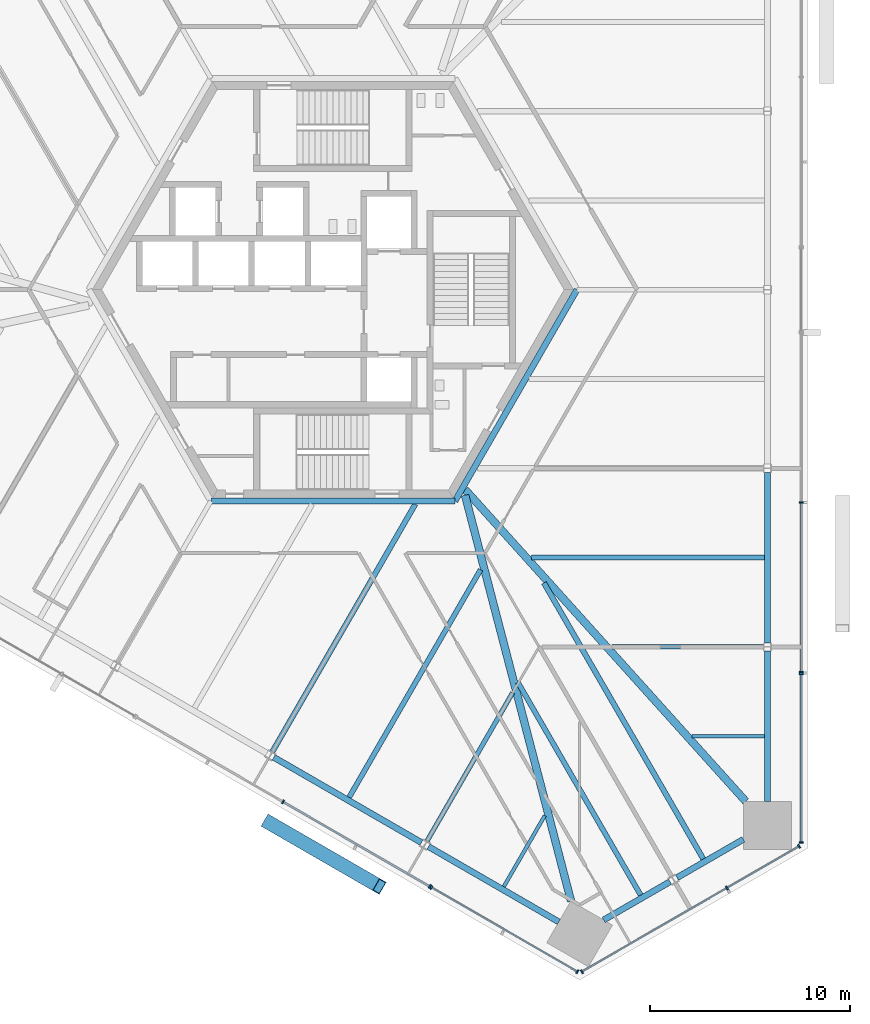
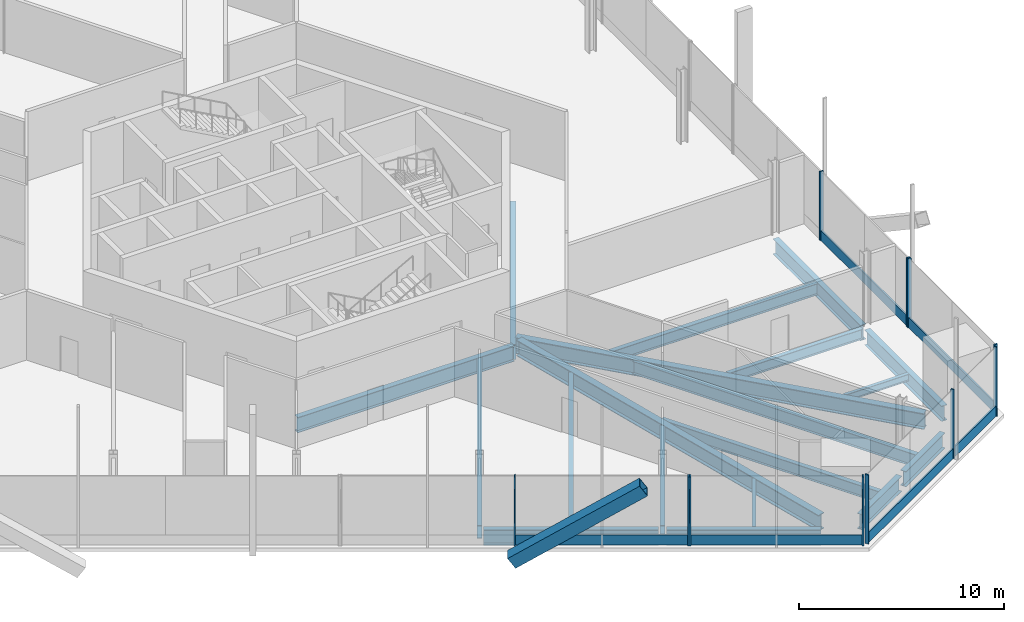
# One storey, part 4 of 19: 19 beams, 18 members, 5 elements without a shape of their own.
"""IFC4 building model written with IfcOpenShell, lengths in metres."""

from ifc_helpers import new_model, si_unit, direction, frame, origin, origin_2d, place, context, subcontext, project, spatial, rectangle, hollow_rectangle, i_section, extrude, source, transform, mapped, material, material_profile, profile_set, type_object, element, aggregate, save


model = new_model("IFC4")

# Units and contexts
model_context = context("Model", 3, precision=1e-05, world=origin(), true_north=direction((0.0, 1.0)))
body_context = subcontext(model_context, "Body", "Model", "MODEL_VIEW")
ifc_project = project(units=[si_unit("LENGTHUNIT", "METRE"), si_unit("AREAUNIT", "SQUARE_METRE"), si_unit("VOLUMEUNIT", "CUBIC_METRE"), si_unit("PLANEANGLEUNIT", "RADIAN"), si_unit("MASSUNIT", "GRAM", prefix="KILO")], contexts=[model_context])

# Site, building, storey
site_placement = place(None, origin())
site = spatial("IfcSite", under=ifc_project, at=site_placement, CompositionType="ELEMENT")
building_placement = place(site_placement, origin())
building = spatial("IfcBuilding", under=site, at=building_placement, Name="Triune Harvest Tower", CompositionType="ELEMENT")
storey_placement = place(building_placement, frame((0.0, 0.0, 41.800048828125)))
storey = spatial("IfcBuildingStorey", under=building, at=storey_placement, Name="L09", CompositionType="ELEMENT", Elevation=41.800048828125)

# Beams
ifc_material_1 = material(Name="Steel ASTM A992 Gr 50", Category="steel")
ifc_material_profile_1 = material_profile(ifc_material_1, i_section(OverallWidth=0.3046875, OverallDepth=0.914306640625, WebThickness=0.0166015625, FlangeThickness=0.02587890625, at=origin_2d()), Name="W36x160")
ifc_profile_set_1 = profile_set([ifc_material_profile_1], Name="Steel ASTM A992 Gr 50")
beam_type_1 = type_object("IfcBeamType", Name="CG-1 Core ring girder W36x160", PredefinedType="BEAM", material=ifc_profile_set_1)
shared_shape_1 = source(origin(), body_context, "Body", "SweptSolid", [
    extrude(i_section(OverallWidth=0.3046875, OverallDepth=0.914306640625, WebThickness=0.0166015625, FlangeThickness=0.02587890625, at=origin_2d()), origin(), (0.0, 0.0, 1.0), 12.176025390625),
])
beam_1_placement = place(storey_placement, frame((6.087890625, -10.544677734375, -0.6572265625), z_axis=(0.5000099932, 0.866019634131, 0.0), x_axis=(-0.866019634131, 0.5000099932, 0.0)))
element("IfcBeam", 1, at=beam_1_placement, inside=storey, type_object=beam_type_1, Name="beam/L09/CG6", PredefinedType="BEAM", context=body_context, shape_type="MappedRepresentation", body=[
    mapped(shared_shape_1, transform((0.0, 0.0, 0.0), scale=1.0)),
])
shared_shape_2 = source(origin(), body_context, "Body", "SweptSolid", [
    extrude(i_section(OverallWidth=0.3046875, OverallDepth=0.914306640625, WebThickness=0.0166015625, FlangeThickness=0.02587890625, at=origin_2d()), origin(), (0.0, 0.0, 1.0), 12.17578125),
])
beam_2_placement = place(storey_placement, frame((-6.087890625, -10.544677734375, -0.6572265625), z_axis=(1.0, 0.0, 0.0), x_axis=(0.0, 1.0, 0.0)))
element("IfcBeam", 2, at=beam_2_placement, inside=storey, type_object=beam_type_1, Name="beam/L09/CG5", PredefinedType="BEAM", context=body_context, shape_type="MappedRepresentation", body=[
    mapped(shared_shape_2, transform((0.0, 0.0, 0.0), scale=1.0)),
])
ifc_material_2 = material(Name="Steel ASTM A992 Gr 50", Category="steel")
ifc_material_profile_2 = material_profile(ifc_material_2, i_section(OverallWidth=0.383544921875, OverallDepth=0.9423828125, WebThickness=0.022216796875, FlangeThickness=0.039794921875, at=origin_2d()), Name="W36x232")
ifc_profile_set_2 = profile_set([ifc_material_profile_2], Name="Steel ASTM A992 Gr 50")
beam_type_2 = type_object("IfcBeamType", Name="HG-1 Hip girder W36x232", PredefinedType="BEAM", material=ifc_profile_set_2)
shared_shape_3 = source(origin(), body_context, "Body", "SweptSolid", [
    extrude(i_section(OverallWidth=0.383544921875, OverallDepth=0.9423828125, WebThickness=0.022216796875, FlangeThickness=0.039794921875, at=origin_2d()), origin(), (0.0, 0.0, 1.0), 20.933349609375),
])
beam_3_placement = place(storey_placement, frame((20.599365234375, -25.530029296875, -0.671142578125), z_axis=(-0.668990505388, 0.743270949049, 0.0), x_axis=(-0.743270949049, -0.668990505388, 0.0)))
element("IfcBeam", 3, at=beam_3_placement, inside=storey, type_object=beam_type_2, Name="beam/L09/HG1", PredefinedType="BEAM", context=body_context, shape_type="MappedRepresentation", body=[
    mapped(shared_shape_3, transform((0.0, 0.0, 0.0), scale=1.0)),
])
shared_shape_4 = source(origin(), body_context, "Body", "SweptSolid", [
    extrude(i_section(OverallWidth=0.383544921875, OverallDepth=0.9423828125, WebThickness=0.022216796875, FlangeThickness=0.039794921875, at=origin_2d()), origin(), (0.0, 0.0, 1.0), 20.931884765625),
])
beam_4_placement = place(storey_placement, frame((11.8828125, -30.50830078125, -0.671142578125), z_axis=(-0.252690148393, 0.967547254094, 0.0), x_axis=(-0.967547254094, -0.252690148393, 0.0)))
element("IfcBeam", 4, at=beam_4_placement, inside=storey, type_object=beam_type_2, Name="beam/L09/HG6", PredefinedType="BEAM", context=body_context, shape_type="MappedRepresentation", body=[
    mapped(shared_shape_4, transform((0.0, 0.0, 0.0), scale=1.0)),
])
ifc_material_3 = material(Name="Steel ASTM A992 Gr 50", Category="steel")
ifc_material_profile_3 = material_profile(ifc_material_3, i_section(OverallWidth=0.22900390625, OverallDepth=0.612060546875, WebThickness=0.011962890625, FlangeThickness=0.01953125, at=origin_2d()), Name="W24x84")
ifc_profile_set_3 = profile_set([ifc_material_profile_3], Name="Steel ASTM A992 Gr 50")
beam_type_3 = type_object("IfcBeamType", Name="JT-3 Floor joist W24x84", PredefinedType="JOIST", material=ifc_profile_set_3)
shared_shape_5 = source(origin(), body_context, "Body", "SweptSolid", [
    extrude(i_section(OverallWidth=0.22900390625, OverallDepth=0.612060546875, WebThickness=0.011962890625, FlangeThickness=0.01953125, at=origin_2d()), origin(), (0.0, 0.0, 1.0), 7.558349609375),
])
beam_5_placement = place(storey_placement, frame((21.476318359375, -17.820068359375, -0.506103515625), z_axis=(-1.0, 0.0, 0.0), x_axis=(0.0, -1.0, 0.0)))
element("IfcBeam", 5, at=beam_5_placement, inside=storey, type_object=beam_type_3, Name="beam/L09/JT2", PredefinedType="JOIST", context=body_context, shape_type="MappedRepresentation", body=[
    mapped(shared_shape_5, transform((0.0, 0.0, 0.0), scale=1.0)),
])
ifc_material_4 = material(Name="Steel ASTM A992 Gr 50", Category="steel")
ifc_material_profile_4 = material_profile(ifc_material_4, i_section(OverallWidth=0.2666015625, OverallDepth=0.7568359375, WebThickness=0.013916015625, FlangeThickness=0.019287109375, at=origin_2d()), Name="W30x108")
ifc_profile_set_4 = profile_set([ifc_material_profile_4], Name="Steel ASTM A992 Gr 50")
beam_type_4 = type_object("IfcBeamType", Name="JT-5 Floor joist W30x108", PredefinedType="JOIST", material=ifc_profile_set_4)
shared_shape_6 = source(origin(), body_context, "Body", "SweptSolid", [
    extrude(i_section(OverallWidth=0.2666015625, OverallDepth=0.7568359375, WebThickness=0.013916015625, FlangeThickness=0.019287109375, at=origin_2d()), origin(), (0.0, 0.0, 1.0), 14.2685546875),
])
beam_6_placement = place(storey_placement, frame((-3.02197265625, -23.053955078125, -0.57861328125), z_axis=(0.499999916269, 0.866025452127, 0.0), x_axis=(-0.866025452127, 0.499999916269, 0.0)))
element("IfcBeam", 6, at=beam_6_placement, inside=storey, type_object=beam_type_4, Name="beam/L09/JT34", PredefinedType="JOIST", context=body_context, shape_type="MappedRepresentation", body=[
    mapped(shared_shape_6, transform((0.0, 0.0, 0.0), scale=1.0)),
])
shared_shape_7 = source(origin(), body_context, "Body", "SweptSolid", [
    extrude(i_section(OverallWidth=0.22900390625, OverallDepth=0.612060546875, WebThickness=0.011962890625, FlangeThickness=0.01953125, at=origin_2d()), origin(), (0.0, 0.0, 1.0), 8.54736328125),
])
beam_7_placement = place(storey_placement, frame((4.6943359375, -27.509033203125, -0.506103515625), z_axis=(0.499994426748, 0.866028621479, 0.0), x_axis=(-0.866028621479, 0.499994426748, 0.0)))
element("IfcBeam", 7, at=beam_7_placement, inside=storey, type_object=beam_type_3, Name="beam/L09/JT36", PredefinedType="JOIST", context=body_context, shape_type="MappedRepresentation", body=[
    mapped(shared_shape_7, transform((0.0, 0.0, 0.0), scale=1.0)),
])
ifc_material_5 = material(Name="Steel ASTM A992 Gr 50", Category="steel")
ifc_material_profile_5 = material_profile(ifc_material_5, i_section(OverallWidth=0.3046875, OverallDepth=0.914306640625, WebThickness=0.0166015625, FlangeThickness=0.02587890625, at=origin_2d()), Name="W36x160")
ifc_profile_set_5 = profile_set([ifc_material_profile_5], Name="Steel ASTM A992 Gr 50")
beam_type_5 = type_object("IfcBeamType", Name="SB-1 Spandrel beam W36x160", PredefinedType="SPANDREL", material=ifc_profile_set_5)
shared_shape_8 = source(origin(), body_context, "Body", "SweptSolid", [
    extrude(i_section(OverallWidth=0.3046875, OverallDepth=0.914306640625, WebThickness=0.0166015625, FlangeThickness=0.02587890625, at=origin_2d()), origin(), (0.0, 0.0, 1.0), 7.508056640625),
])
beam_8_placement = place(storey_placement, frame((21.679443359375, -25.530029296875, -0.6572265625), z_axis=(0.0, 1.0, 0.0), x_axis=(-1.0, 0.0, 0.0)))
element("IfcBeam", 8, at=beam_8_placement, inside=storey, type_object=beam_type_5, Name="beam/L09/SB1", PredefinedType="SPANDREL", context=body_context, shape_type="MappedRepresentation", body=[
    mapped(shared_shape_8, transform((0.0, 0.0, 0.0), scale=1.0)),
])
shared_shape_9 = source(origin(), body_context, "Body", "SweptSolid", [
    extrude(i_section(OverallWidth=0.3046875, OverallDepth=0.914306640625, WebThickness=0.0166015625, FlangeThickness=0.02587890625, at=origin_2d()), origin(), (0.0, 0.0, 1.0), 8.50634765625),
])
beam_9_placement = place(storey_placement, frame((21.679443359375, -17.6181640625, -0.6572265625), z_axis=(0.0, 1.0, 0.0), x_axis=(-1.0, 0.0, 0.0)))
element("IfcBeam", 9, at=beam_9_placement, inside=storey, type_object=beam_type_5, Name="beam/L09/SB2", PredefinedType="SPANDREL", context=body_context, shape_type="MappedRepresentation", body=[
    mapped(shared_shape_9, transform((0.0, 0.0, 0.0), scale=1.0)),
])
shared_shape_10 = source(origin(), body_context, "Body", "SweptSolid", [
    extrude(i_section(OverallWidth=0.3046875, OverallDepth=0.914306640625, WebThickness=0.0166015625, FlangeThickness=0.02587890625, at=origin_2d()), origin(), (0.0, 0.0, 1.0), 8.506103515625),
])
beam_10_placement = place(storey_placement, frame((-2.948486328125, -23.3310546875, -0.6572265625), z_axis=(0.866030246746, -0.49999161165, 0.0), x_axis=(0.49999161165, 0.866030246746, 0.0)))
element("IfcBeam", 10, at=beam_10_placement, inside=storey, type_object=beam_type_5, Name="beam/L09/SB21", PredefinedType="SPANDREL", context=body_context, shape_type="MappedRepresentation", body=[
    mapped(shared_shape_10, transform((0.0, 0.0, 0.0), scale=1.0)),
])
shared_shape_11 = source(origin(), body_context, "Body", "SweptSolid", [
    extrude(i_section(OverallWidth=0.3046875, OverallDepth=0.914306640625, WebThickness=0.0166015625, FlangeThickness=0.02587890625, at=origin_2d()), origin(), (0.0, 0.0, 1.0), 3.822265625),
])
beam_11_placement = place(storey_placement, frame((17.169189453125, -29.333984375, -0.6572265625), z_axis=(0.866033487859, 0.499985997711, 0.0), x_axis=(-0.499985997711, 0.866033487859, 0.0)))
element("IfcBeam", 11, at=beam_11_placement, inside=storey, type_object=beam_type_5, Name="beam/L09/SB24", PredefinedType="SPANDREL", context=body_context, shape_type="MappedRepresentation", body=[
    mapped(shared_shape_11, transform((0.0, 0.0, 0.0), scale=1.0)),
])
shared_shape_12 = source(origin(), body_context, "Body", "SweptSolid", [
    extrude(i_section(OverallWidth=0.3046875, OverallDepth=0.914306640625, WebThickness=0.0166015625, FlangeThickness=0.02587890625, at=origin_2d()), origin(), (0.0, 0.0, 1.0), 3.822509765625),
])
beam_12_placement = place(storey_placement, frame((13.509033203125, -31.447265625, -0.6572265625), z_axis=(0.866005830769, 0.500033899925, 0.0), x_axis=(-0.500033899925, 0.866005830769, 0.0)))
element("IfcBeam", 12, at=beam_12_placement, inside=storey, type_object=beam_type_5, Name="beam/L09/SB23", PredefinedType="SPANDREL", context=body_context, shape_type="MappedRepresentation", body=[
    mapped(shared_shape_12, transform((0.0, 0.0, 0.0), scale=1.0)),
])
shared_shape_13 = source(origin(), body_context, "Body", "SweptSolid", [
    extrude(i_section(OverallWidth=0.3046875, OverallDepth=0.914306640625, WebThickness=0.0166015625, FlangeThickness=0.02587890625, at=origin_2d()), origin(), (0.0, 0.0, 1.0), 7.50830078125),
])
beam_13_placement = place(storey_placement, frame((4.767578125, -27.785888671875, -0.6572265625), z_axis=(0.866027474485, -0.499996413425, 0.0), x_axis=(0.499996413425, 0.866027474485, 0.0)))
element("IfcBeam", 13, at=beam_13_placement, inside=storey, type_object=beam_type_5, Name="beam/L09/SB22", PredefinedType="SPANDREL", context=body_context, shape_type="MappedRepresentation", body=[
    mapped(shared_shape_13, transform((0.0, 0.0, 0.0), scale=1.0)),
])
ifc_material_6 = material(Name="Steel ASTM A992 Gr 50", Category="steel")
ifc_material_profile_6 = material_profile(ifc_material_6, i_section(OverallWidth=0.180908203125, OverallDepth=0.41650390625, WebThickness=0.010986328125, FlangeThickness=0.01806640625, at=origin_2d()), Name="W16x57")
ifc_profile_set_6 = profile_set([ifc_material_profile_6], Name="Steel ASTM A992 Gr 50")
beam_type_6 = type_object("IfcBeamType", Name="JT-1 Floor joist W16x57", PredefinedType="JOIST", material=ifc_profile_set_6)
shared_shape_14 = source(origin(), body_context, "Body", "SweptSolid", [
    extrude(i_section(OverallWidth=0.180908203125, OverallDepth=0.41650390625, WebThickness=0.010986328125, FlangeThickness=0.01806640625, at=origin_2d()), origin(), (0.0, 0.0, 1.0), 3.599365234375),
])
beam_14_placement = place(storey_placement, frame((21.527099609375, -22.27490234375, -0.408447265625), z_axis=(-1.0, 0.0, 0.0), x_axis=(0.0, -1.0, 0.0)))
element("IfcBeam", 14, at=beam_14_placement, inside=storey, type_object=beam_type_6, Name="beam/L09/JT1", PredefinedType="JOIST", context=body_context, shape_type="MappedRepresentation", body=[
    mapped(shared_shape_14, transform((0.0, 0.0, 0.0), scale=1.0)),
])
ifc_material_7 = material(Name="Steel ASTM A992 Gr 50", Category="steel")
ifc_material_profile_7 = material_profile(ifc_material_7, i_section(OverallWidth=0.253662109375, OverallDepth=0.683349609375, WebThickness=0.012451171875, FlangeThickness=0.01904296875, at=origin_2d()), Name="W27x94")
ifc_profile_set_7 = profile_set([ifc_material_profile_7], Name="Steel ASTM A992 Gr 50")
beam_type_7 = type_object("IfcBeamType", Name="JT-4 Floor joist W27x94", PredefinedType="JOIST", material=ifc_profile_set_7)
shared_shape_15 = source(origin(), body_context, "Body", "SweptSolid", [
    extrude(i_section(OverallWidth=0.253662109375, OverallDepth=0.683349609375, WebThickness=0.012451171875, FlangeThickness=0.01904296875, at=origin_2d()), origin(), (0.0, 0.0, 1.0), 11.619140625),
])
beam_15_placement = place(storey_placement, frame((21.527099609375, -13.364990234375, -0.541748046875), z_axis=(-1.0, 0.0, 0.0), x_axis=(0.0, -1.0, 0.0)))
element("IfcBeam", 15, at=beam_15_placement, inside=storey, type_object=beam_type_7, Name="beam/L09/JT3", PredefinedType="JOIST", context=body_context, shape_type="MappedRepresentation", body=[
    mapped(shared_shape_15, transform((0.0, 0.0, 0.0), scale=1.0)),
])
shared_shape_16 = source(origin(), body_context, "Body", "SweptSolid", [
    extrude(i_section(OverallWidth=0.253662109375, OverallDepth=0.683349609375, WebThickness=0.012451171875, FlangeThickness=0.01904296875, at=origin_2d()), origin(), (0.0, 0.0, 1.0), 13.110107421875),
])
beam_16_placement = place(storey_placement, frame((0.810791015625, -25.325439453125, -0.541748046875), z_axis=(0.500012613137, 0.866018121464, 0.0), x_axis=(-0.866018121464, 0.500012613137, 0.0)))
element("IfcBeam", 16, at=beam_16_placement, inside=storey, type_object=beam_type_7, Name="beam/L09/JT35", PredefinedType="JOIST", context=body_context, shape_type="MappedRepresentation", body=[
    mapped(shared_shape_16, transform((0.0, 0.0, 0.0), scale=1.0)),
])
shared_shape_17 = source(origin(), body_context, "Body", "SweptSolid", [
    extrude(i_section(OverallWidth=0.180908203125, OverallDepth=0.41650390625, WebThickness=0.010986328125, FlangeThickness=0.01806640625, at=origin_2d()), origin(), (0.0, 0.0, 1.0), 4.08642578125),
])
beam_17_placement = place(storey_placement, frame((8.527099609375, -29.780517578125, -0.408447265625), z_axis=(0.500013794443, 0.866017439413, 0.0), x_axis=(-0.866017439413, 0.500013794443, 0.0)))
element("IfcBeam", 17, at=beam_17_placement, inside=storey, type_object=beam_type_6, Name="beam/L09/JT37", PredefinedType="JOIST", context=body_context, shape_type="MappedRepresentation", body=[
    mapped(shared_shape_17, transform((0.0, 0.0, 0.0), scale=1.0)),
])
shared_shape_18 = source(origin(), body_context, "Body", "SweptSolid", [
    extrude(i_section(OverallWidth=0.253662109375, OverallDepth=0.683349609375, WebThickness=0.012451171875, FlangeThickness=0.01904296875, at=origin_2d()), origin(), (0.0, 0.0, 1.0), 12.2509765625),
])
beam_18_placement = place(storey_placement, frame((15.3564453125, -30.20458984375, -0.541748046875), z_axis=(-0.500001335473, 0.866024632748, 0.0), x_axis=(-0.866024632748, -0.500001335473, 0.0)))
element("IfcBeam", 18, at=beam_18_placement, inside=storey, type_object=beam_type_7, Name="beam/L09/JT38", PredefinedType="JOIST", context=body_context, shape_type="MappedRepresentation", body=[
    mapped(shared_shape_18, transform((0.0, 0.0, 0.0), scale=1.0)),
])
shared_shape_19 = source(origin(), body_context, "Body", "SweptSolid", [
    extrude(i_section(OverallWidth=0.2666015625, OverallDepth=0.7568359375, WebThickness=0.013916015625, FlangeThickness=0.019287109375, at=origin_2d()), origin(), (0.0, 0.0, 1.0), 15.90771484375),
])
beam_19_placement = place(storey_placement, frame((18.479736328125, -28.4013671875, -0.57861328125), z_axis=(-0.499996565981, 0.866027386407, 0.0), x_axis=(-0.866027386407, -0.499996565981, 0.0)))
element("IfcBeam", 19, at=beam_19_placement, inside=storey, type_object=beam_type_4, Name="beam/L09/JT39", PredefinedType="JOIST", context=body_context, shape_type="MappedRepresentation", body=[
    mapped(shared_shape_19, transform((0.0, 0.0, 0.0), scale=1.0)),
])

# Member
ifc_material_8 = material(Name="Steel ASTM A572 Gr 50", Category="steel")
ifc_material_profile_8 = material_profile(ifc_material_8, hollow_rectangle(XDim=0.699951171875, YDim=0.699951171875, WallThickness=0.0400390625, at=origin_2d()), Name="Box 700x700x40")
ifc_profile_set_8 = profile_set([ifc_material_profile_8], Name="Steel ASTM A572 Gr 50")
member_type_1 = type_object("IfcMemberType", Name="BR-1 Brace Box 700x700x40", PredefinedType="BRACE", material=ifc_profile_set_8)
shared_shape_20 = source(origin(), body_context, "Body", "SweptSolid", [
    extrude(hollow_rectangle(XDim=0.699951171875, YDim=0.699951171875, WallThickness=0.0400390625, at=origin_2d()), origin(), (0.0, 0.0, 1.0), 7.728515625),
])
member_1_placement = place(storey_placement, frame((-3.24169921875, -26.55859375, 0.0), z_axis=(0.719588785102, -0.415471781099, 0.556394805391), x_axis=(0.500015346484, 0.866016543306, 0.0)))
element("IfcMember", 20, at=member_1_placement, inside=storey, type_object=member_type_1, Name="brace/B1-F5/d1/7", PredefinedType="BRACE", context=body_context, shape_type="MappedRepresentation", body=[
    mapped(shared_shape_20, transform((0.0, 0.0, 0.0), scale=1.0)),
])

# Curtain wall, members
ifc_material_9 = material(Name="Aluminium bronze anodised", Category="aluminium")
curtain_wall_type_1 = type_object("IfcCurtainWallType", Name="CW-3 Farm floor curtain wall", PredefinedType="NOTDEFINED", material=ifc_material_9)
curtain_wall_1_placement = place(storey_placement, origin())
curtain_wall_1 = element("IfcCurtainWall", 21, at=curtain_wall_1_placement, inside=storey, type_object=curtain_wall_type_1, Name="CW-3 B1-F6 L09 run 1")
ifc_material_10 = material(Name="Aluminium bronze anodised", Category="aluminium")
ifc_material_profile_9 = material_profile(ifc_material_10, rectangle(XDim=0.090087890625, YDim=0.60009765625, at=origin_2d()), Name="TR-3 transom 90 x 600")
ifc_profile_set_9 = profile_set([ifc_material_profile_9], Name="Aluminium bronze anodised")
member_type_2 = type_object("IfcMemberType", Name="TR-3 transom 90 x 600", PredefinedType="USERDEFINED", material=ifc_profile_set_9)
shared_shape_21 = source(origin(), body_context, "Body", "SweptSolid", [
    extrude(rectangle(XDim=0.090087890625, YDim=0.60009765625, at=origin_2d()), origin(), (0.0, 0.0, 1.0), 4.077880859375),
])
member_2_placement = place(storey_placement, frame((19.692626953125, -29.830810546875, 0.300048828125), z_axis=(0.86600911372, 0.500028214158, 0.0), x_axis=(-0.500028214158, 0.86600911372, 0.0)))
member_2 = element("IfcMember", 22, at=member_2_placement, type_object=member_type_2, Name="CW-3 transom B1-F6 1.2", ObjectType="TRANSOM", PredefinedType="USERDEFINED", context=body_context, shape_type="MappedRepresentation", body=[
    mapped(shared_shape_21, transform((0.0, 0.0, 0.0), scale=1.0)),
])
shared_shape_22 = source(origin(), body_context, "Body", "SweptSolid", [
    extrude(rectangle(XDim=0.090087890625, YDim=0.60009765625, at=origin_2d()), origin(), (0.0, 0.0, 1.0), 8.275634765625),
])
member_3_placement = place(storey_placement, frame((12.456298828125, -34.008544921875, 0.300048828125), z_axis=(0.866034275465, 0.499984633485, 0.0), x_axis=(-0.499984633485, 0.866034275465, 0.0)))
member_3 = element("IfcMember", 23, at=member_3_placement, type_object=member_type_2, Name="CW-3 transom B1-F6 1.1", ObjectType="TRANSOM", PredefinedType="USERDEFINED", context=body_context, shape_type="MappedRepresentation", body=[
    mapped(shared_shape_22, transform((0.0, 0.0, 0.0), scale=1.0)),
])

curtain_wall_2_placement = place(storey_placement, origin())
curtain_wall_2 = element("IfcCurtainWall", 24, at=curtain_wall_2_placement, inside=storey, type_object=curtain_wall_type_1, Name="CW-3 B1-F1 L09 run 1")
ifc_material_11 = material(Name="Aluminium bronze anodised", Category="aluminium")
ifc_material_profile_10 = material_profile(ifc_material_11, rectangle(XDim=0.199951171875, YDim=0.080078125, at=origin_2d()), Name="MU-3 mullion 80 x 200")
ifc_profile_set_10 = profile_set([ifc_material_profile_10], Name="Aluminium bronze anodised")
member_type_3 = type_object("IfcMemberType", Name="MU-3 mullion 80 x 200", PredefinedType="MULLION", material=ifc_profile_set_10)
shared_shape_23 = source(origin(), body_context, "Body", "SweptSolid", [
    extrude(rectangle(XDim=0.199951171875, YDim=0.080078125, at=origin_2d()), origin(), (0.0, 0.0, 1.0), 4.099853515625),
])
member_4_placement = place(storey_placement, frame((23.371337890625, -27.576904296875, 0.0), z_axis=(0.0, 0.0, 1.0), x_axis=(-1.0, 0.0, 0.0)))
member_4 = element("IfcMember", 25, at=member_4_placement, type_object=member_type_3, Name="CW-3 mullion B1-F1 1.1", PredefinedType="MULLION", context=body_context, shape_type="MappedRepresentation", body=[
    mapped(shared_shape_23, transform((0.0, 0.0, 0.0), scale=1.0)),
])
member_5_placement = place(storey_placement, frame((23.371337890625, -19.1591796875, 0.0), z_axis=(0.0, 0.0, 1.0), x_axis=(-1.0, 0.0, 0.0)))
member_5 = element("IfcMember", 26, at=member_5_placement, type_object=member_type_3, Name="CW-3 mullion B1-F1 1.3", PredefinedType="MULLION", context=body_context, shape_type="MappedRepresentation", body=[
    mapped(shared_shape_23, transform((0.0, 0.0, 0.0), scale=1.0)),
])

ifc_material_12 = material(Name="Aluminium bronze anodised", Category="aluminium")
curtain_wall_type_2 = type_object("IfcCurtainWallType", Name="CW-8 Farm floor curtain wall with insulated spandrel infill", PredefinedType="NOTDEFINED", material=ifc_material_12)
curtain_wall_3_placement = place(storey_placement, origin())
curtain_wall_3 = element("IfcCurtainWall", 27, at=curtain_wall_3_placement, inside=storey, type_object=curtain_wall_type_2, Name="CW-8 B1-F1 L09 run 1001")
member_6_placement = place(storey_placement, frame((23.371337890625, -19.079345703125, 0.0), z_axis=(0.0, 0.0, 1.0), x_axis=(-1.0, 0.0, 0.0)))
member_6 = element("IfcMember", 28, at=member_6_placement, type_object=member_type_3, Name="CW-8 mullion B1-F1 1001.1", PredefinedType="MULLION", context=body_context, shape_type="MappedRepresentation", body=[
    mapped(shared_shape_23, transform((0.0, 0.0, 0.0), scale=1.0)),
])
member_7_placement = place(storey_placement, frame((23.371337890625, -10.621826171875, 0.0), z_axis=(0.0, 0.0, 1.0), x_axis=(-1.0, 0.0, 0.0)))
member_7 = element("IfcMember", 29, at=member_7_placement, type_object=member_type_3, Name="CW-8 mullion B1-F1 1001.3", PredefinedType="MULLION", context=body_context, shape_type="MappedRepresentation", body=[
    mapped(shared_shape_23, transform((0.0, 0.0, 0.0), scale=1.0)),
])

curtain_wall_4_placement = place(storey_placement, origin())
curtain_wall_4 = element("IfcCurtainWall", 30, at=curtain_wall_4_placement, inside=storey, type_object=curtain_wall_type_2, Name="CW-8 B1-F5 L09 run 1001")
member_8_placement = place(storey_placement, frame((-2.48681640625, -25.55126953125, 0.0), z_axis=(0.0, 0.0, 1.0), x_axis=(0.500002592159, 0.866023907196, 0.0)))
member_8 = element("IfcMember", 31, at=member_8_placement, type_object=member_type_3, Name="CW-8 mullion B1-F5 1001.3", PredefinedType="MULLION", context=body_context, shape_type="MappedRepresentation", body=[
    mapped(shared_shape_23, transform((0.0, 0.0, 0.0), scale=1.0)),
])
member_9_placement = place(storey_placement, frame((4.83740234375, -29.77978515625, 0.0), z_axis=(0.0, 0.0, 1.0), x_axis=(0.500002592159, 0.866023907196, 0.0)))
member_9 = element("IfcMember", 32, at=member_9_placement, type_object=member_type_3, Name="CW-8 mullion B1-F5 1001.5", PredefinedType="MULLION", context=body_context, shape_type="MappedRepresentation", body=[
    mapped(shared_shape_23, transform((0.0, 0.0, 0.0), scale=1.0)),
])

curtain_wall_5_placement = place(storey_placement, origin())
curtain_wall_5 = element("IfcCurtainWall", 33, at=curtain_wall_5_placement, inside=storey, type_object=curtain_wall_type_1, Name="CW-3 B1-F5 L09 run 2001")
member_10_placement = place(storey_placement, frame((4.90673828125, -29.81982421875, 0.0), z_axis=(0.0, 0.0, 1.0), x_axis=(0.499995239328, 0.866028152342, 0.0)))
member_10 = element("IfcMember", 34, at=member_10_placement, type_object=member_type_3, Name="CW-3 mullion B1-F5 2001.1", PredefinedType="MULLION", context=body_context, shape_type="MappedRepresentation", body=[
    mapped(shared_shape_23, transform((0.0, 0.0, 0.0), scale=1.0)),
])
member_11_placement = place(storey_placement, frame((12.196533203125, -34.028564453125, 0.0), z_axis=(0.0, 0.0, 1.0), x_axis=(0.499995239328, 0.866028152342, 0.0)))
member_11 = element("IfcMember", 35, at=member_11_placement, type_object=member_type_3, Name="CW-3 mullion B1-F5 2001.3", PredefinedType="MULLION", context=body_context, shape_type="MappedRepresentation", body=[
    mapped(shared_shape_23, transform((0.0, 0.0, 0.0), scale=1.0)),
])

# Member
member_12_placement = place(storey_placement, frame((12.421630859375, -34.028564453125, 0.0), z_axis=(0.0, 0.0, 1.0), x_axis=(-0.499998715149, 0.866026145592, 0.0)))
member_12 = element("IfcMember", 36, at=member_12_placement, type_object=member_type_3, Name="CW-3 mullion B1-F6 1.1", PredefinedType="MULLION", context=body_context, shape_type="MappedRepresentation", body=[
    mapped(shared_shape_23, transform((0.0, 0.0, 0.0), scale=1.0)),
])

member_13_placement = place(storey_placement, frame((19.657958984375, -29.850830078125, 0.0), z_axis=(0.0, 0.0, 1.0), x_axis=(-0.499998715149, 0.866026145592, 0.0)))
member_13 = element("IfcMember", 37, at=member_13_placement, type_object=member_type_3, Name="CW-3 mullion B1-F6 1.3", PredefinedType="MULLION", context=body_context, shape_type="MappedRepresentation", body=[
    mapped(shared_shape_23, transform((0.0, 0.0, 0.0), scale=1.0)),
])

member_14_placement = place(storey_placement, frame((23.2587890625, -27.771728515625, 0.0), z_axis=(0.0, 0.0, 1.0), x_axis=(-0.499998715149, 0.866026145592, 0.0)))
member_14 = element("IfcMember", 38, at=member_14_placement, type_object=member_type_3, Name="CW-3 mullion B1-F6 1.4", PredefinedType="MULLION", context=body_context, shape_type="MappedRepresentation", body=[
    mapped(shared_shape_23, transform((0.0, 0.0, 0.0), scale=1.0)),
])

aggregate(curtain_wall_1, [member_12, member_13, member_14, member_3, member_2])

shared_shape_24 = source(origin(), body_context, "Body", "SweptSolid", [
    extrude(rectangle(XDim=0.090087890625, YDim=0.60009765625, at=origin_2d()), origin(), (0.0, 0.0, 1.0), 8.37744140625),
])
member_15_placement = place(storey_placement, frame((23.371337890625, -19.039306640625, 0.300048828125), z_axis=(0.0, 1.0, 0.0), x_axis=(-1.0, 0.0, 0.0)))
member_15 = element("IfcMember", 39, at=member_15_placement, type_object=member_type_2, Name="CW-8 transom B1-F1 1001.1", ObjectType="TRANSOM", PredefinedType="USERDEFINED", context=body_context, shape_type="MappedRepresentation", body=[
    mapped(shared_shape_24, transform((0.0, 0.0, 0.0), scale=1.0)),
])

aggregate(curtain_wall_3, [member_6, member_7, member_15])

member_16_placement = place(storey_placement, frame((-2.4521484375, -25.571044921875, 0.300048828125), z_axis=(0.866006986733, -0.500031897912, 0.0), x_axis=(0.500031897912, 0.866006986733, 0.0)))
member_16 = element("IfcMember", 40, at=member_16_placement, type_object=member_type_2, Name="CW-8 transom B1-F5 1001.2", ObjectType="TRANSOM", PredefinedType="USERDEFINED", context=body_context, shape_type="MappedRepresentation", body=[
    mapped(shared_shape_24, transform((0.0, 0.0, 0.0), scale=1.0)),
])

aggregate(curtain_wall_4, [member_8, member_9, member_16])

shared_shape_25 = source(origin(), body_context, "Body", "SweptSolid", [
    extrude(rectangle(XDim=0.090087890625, YDim=0.60009765625, at=origin_2d()), origin(), (0.0, 0.0, 1.0), 8.337646484375),
])
member_17_placement = place(storey_placement, frame((23.371337890625, -27.536865234375, 0.300048828125), z_axis=(0.0, 1.0, 0.0), x_axis=(-1.0, 0.0, 0.0)))
member_17 = element("IfcMember", 41, at=member_17_placement, type_object=member_type_2, Name="CW-3 transom B1-F1 1.1", ObjectType="TRANSOM", PredefinedType="USERDEFINED", context=body_context, shape_type="MappedRepresentation", body=[
    mapped(shared_shape_25, transform((0.0, 0.0, 0.0), scale=1.0)),
])

aggregate(curtain_wall_2, [member_4, member_5, member_17])

shared_shape_26 = source(origin(), body_context, "Body", "SweptSolid", [
    extrude(rectangle(XDim=0.090087890625, YDim=0.60009765625, at=origin_2d()), origin(), (0.0, 0.0, 1.0), 8.33740234375),
])
member_18_placement = place(storey_placement, frame((4.94140625, -29.83984375, 0.300048828125), z_axis=(0.866027105532, -0.499997052475, 0.0), x_axis=(0.499997052475, 0.866027105532, 0.0)))
member_18 = element("IfcMember", 42, at=member_18_placement, type_object=member_type_2, Name="CW-3 transom B1-F5 2001.1", ObjectType="TRANSOM", PredefinedType="USERDEFINED", context=body_context, shape_type="MappedRepresentation", body=[
    mapped(shared_shape_26, transform((0.0, 0.0, 0.0), scale=1.0)),
])

aggregate(curtain_wall_5, [member_10, member_11, member_18])

save(model, "model.ifc")
